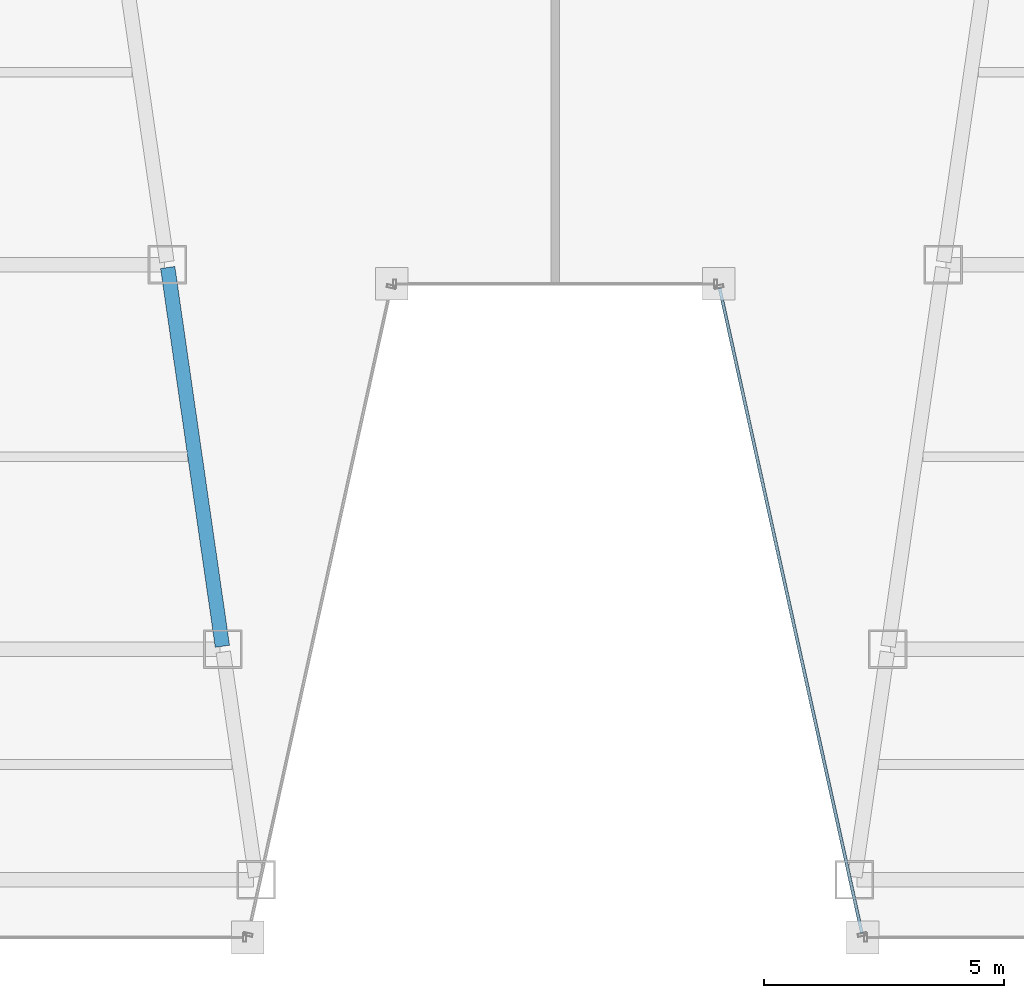
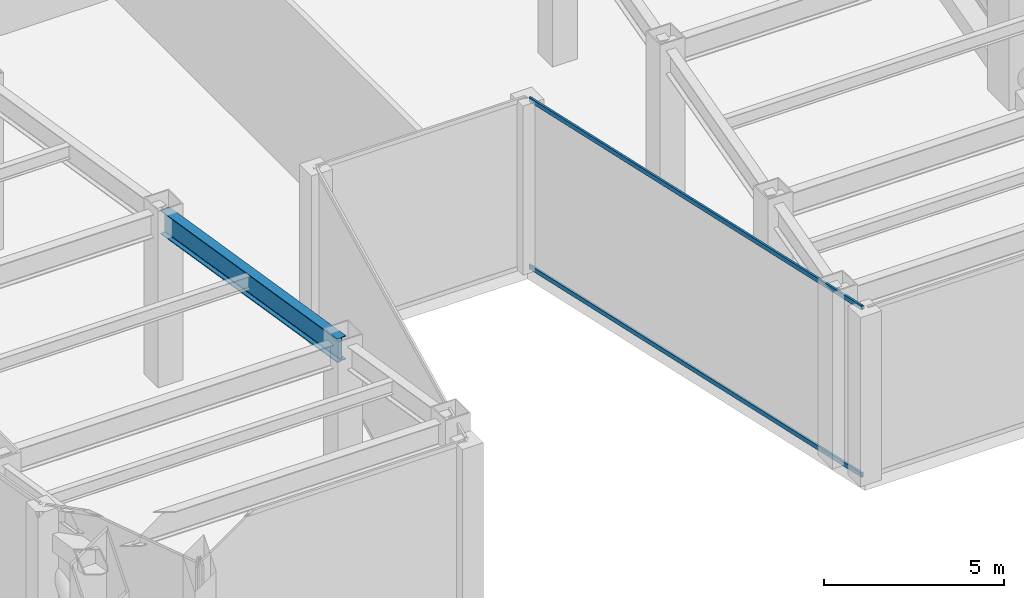
# One storey, part 8 of 35: 2 members, 1 beam, 1 element without a shape of its own.
"""IFC4 building model written with IfcOpenShell, lengths in metres."""

from ifc_helpers import new_model, si_unit, direction, frame, origin, origin_2d, place, context, subcontext, project, spatial, hollow_rectangle, i_section, extrude, material, material_profile, profile_set, type_object, element, aggregate, save


model = new_model("IFC4")

# Units and contexts
model_context = context("Model", 3, precision=1e-05, world=origin(), true_north=direction((0.0, 1.0)))
body_context = subcontext(model_context, "Body", "Model", "MODEL_VIEW")
ifc_project = project(units=[si_unit("LENGTHUNIT", "METRE"), si_unit("AREAUNIT", "SQUARE_METRE"), si_unit("VOLUMEUNIT", "CUBIC_METRE"), si_unit("PLANEANGLEUNIT", "RADIAN"), si_unit("MASSUNIT", "GRAM", prefix="KILO")], contexts=[model_context])

# Site, building, storey
site_placement = place(None, origin())
site = spatial("IfcSite", under=ifc_project, at=site_placement, CompositionType="ELEMENT")
building_placement = place(site_placement, origin())
building = spatial("IfcBuilding", under=site, at=building_placement, Name="Saevonmaru Cultural Tower", CompositionType="ELEMENT")
storey_placement = place(building_placement, frame((0.0, 0.0, 86.800048828125)))
storey = spatial("IfcBuildingStorey", under=building, at=storey_placement, Name="L18", CompositionType="ELEMENT", Elevation=86.800048828125)

# Beam
ifc_material_1 = material(Name="Steel SM420", Category="steel")
ifc_material_profile_1 = material_profile(ifc_material_1, i_section(OverallWidth=0.300048828125, OverallDepth=0.800048828125, WebThickness=0.013916015625, FlangeThickness=0.02587890625, FilletRadius=0.028076171875, at=origin_2d()), Name="H-800x300x14x26")
ifc_profile_set_1 = profile_set([ifc_material_profile_1], Name="Steel SM420")
beam_type = type_object("IfcBeamType", Name="BM-G-H800", PredefinedType="BEAM", material=ifc_profile_set_1)
beam_placement = place(storey_placement, frame((23.074462890625, 8.059326171875, 5.349853515625), z_axis=(-0.142902032203, 0.989736838353, 0.0), x_axis=(-0.989736838353, -0.142902032203, 0.0)))
element("IfcBeam", 1, at=beam_placement, inside=storey, type_object=beam_type, Name="L18 West Atrium Girder 2", PredefinedType="BEAM", context=body_context, shape_type="SweptSolid", body=[
    extrude(i_section(OverallWidth=0.300048828125, OverallDepth=0.800048828125, WebThickness=0.013916015625, FlangeThickness=0.02587890625, FilletRadius=0.028076171875, at=origin_2d()), origin(), (0.0, 0.0, 1.0), 7.963134765625),
])

# Curtain wall, members
ifc_material_2 = material(Name="Satin Bronze Anodised Aluminium", Category="aluminium")
curtain_wall_type = type_object("IfcCurtainWallType", Name="CW-TYP-A", PredefinedType="NOTDEFINED", material=ifc_material_2)
curtain_wall_placement = place(storey_placement, origin())
curtain_wall = element("IfcCurtainWall", 2, at=curtain_wall_placement, inside=storey, type_object=curtain_wall_type, Name="L18 Wind-Floor Acoustic Louvre Screen E5", PredefinedType="NOTDEFINED")
ifc_material_profile_2 = material_profile(ifc_material_2, hollow_rectangle(XDim=0.06494140625, YDim=0.14990234375, WallThickness=0.00390625, at=origin_2d()), Name="ALU-TRAN-150x65x4")
ifc_profile_set_2 = profile_set([ifc_material_profile_2], Name="Satin Bronze Anodised Aluminium")
member_type = type_object("IfcMemberType", Name="TR-CW-150x65", PredefinedType="USERDEFINED", material=ifc_profile_set_2)
member_1_placement = place(storey_placement, frame((33.419921875, 15.509765625, 0.032470703125), z_axis=(0.21541214732, -0.976523223885, 0.0), x_axis=(0.976523223885, 0.21541214732, 0.0)))
member_1 = element("IfcMember", 3, at=member_1_placement, type_object=member_type, Name="CW-TW-L18-E5 transom 1.1", ObjectType="TRANSOM", PredefinedType="USERDEFINED", context=body_context, shape_type="SweptSolid", body=[
    extrude(hollow_rectangle(XDim=0.06494140625, YDim=0.14990234375, WallThickness=0.00390625, at=origin_2d()), origin(), (0.0, 0.0, 1.0), 13.741943359375),
])
member_2_placement = place(storey_placement, frame((33.419921875, 15.509765625, 5.717529296875), z_axis=(0.21541214732, -0.976523223885, 0.0), x_axis=(0.976523223885, 0.21541214732, 0.0)))
member_2 = element("IfcMember", 4, at=member_2_placement, type_object=member_type, Name="CW-TW-L18-E5 transom 1.2", ObjectType="TRANSOM", PredefinedType="USERDEFINED", context=body_context, shape_type="SweptSolid", body=[
    extrude(hollow_rectangle(XDim=0.06494140625, YDim=0.14990234375, WallThickness=0.00390625, at=origin_2d()), origin(), (0.0, 0.0, 1.0), 13.741943359375),
])
aggregate(curtain_wall, [member_1, member_2])

save(model, "model.ifc")
